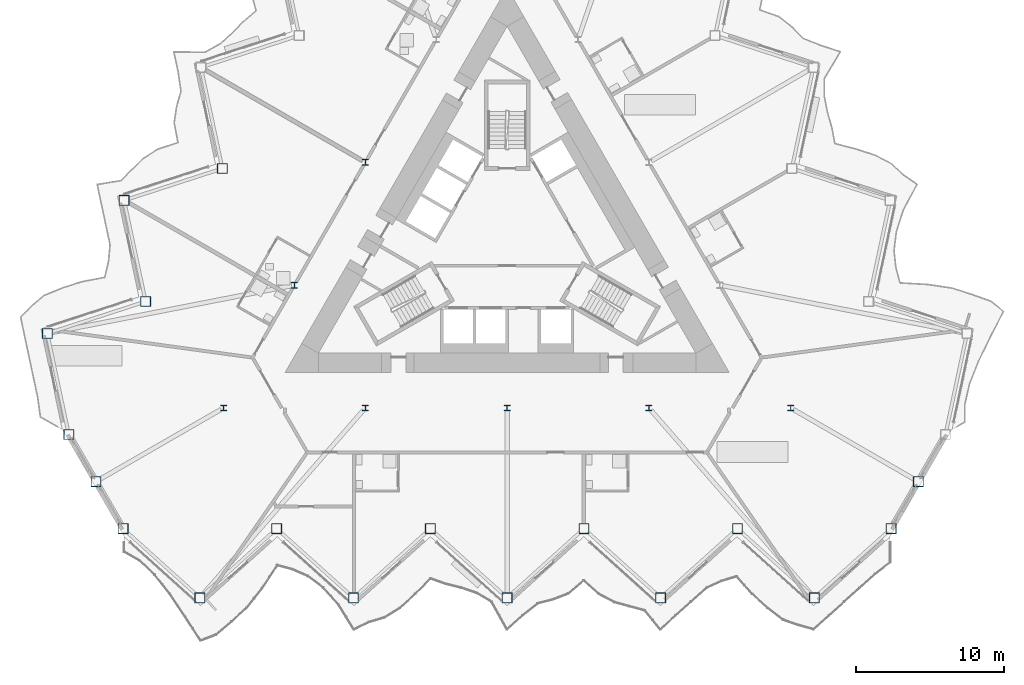
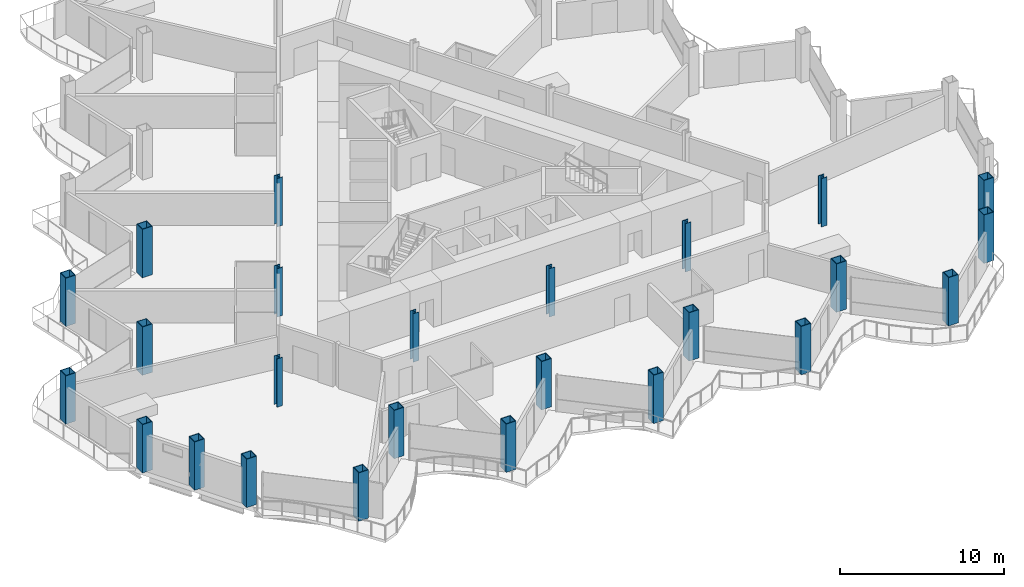
# One storey, part 1 of 23: 25 columns.
"""IFC4 building model written with IfcOpenShell, lengths in metres."""

from ifc_helpers import new_model, si_unit, direction, frame, origin, origin_2d, place, context, subcontext, project, spatial, hollow_rectangle, i_section, extrude, material, material_profile, profile_set, type_object, element, save


model = new_model("IFC4")

# Units and contexts
model_context = context("Model", 3, precision=1e-05, world=origin(), true_north=direction((0.0, 1.0)))
body_context = subcontext(model_context, "Body", "Model", "MODEL_VIEW")
ifc_project = project(units=[si_unit("LENGTHUNIT", "METRE"), si_unit("AREAUNIT", "SQUARE_METRE"), si_unit("VOLUMEUNIT", "CUBIC_METRE"), si_unit("PLANEANGLEUNIT", "RADIAN"), si_unit("MASSUNIT", "GRAM", prefix="KILO")], contexts=[model_context])

# Site, building, storey
site_placement = place(None, origin())
site = spatial("IfcSite", under=ifc_project, at=site_placement, CompositionType="ELEMENT")
building_placement = place(site_placement, origin())
building = spatial("IfcBuilding", under=site, at=building_placement, Name="Cormorant Prow Tower", CompositionType="ELEMENT")
storey_placement = place(building_placement, frame((0.0, 0.0, 249.0)))
storey = spatial("IfcBuildingStorey", under=building, at=storey_placement, Name="L55", CompositionType="ELEMENT", Elevation=249.0)

# Columns
ifc_material_1 = material(Name="Structural steel ASTM A572 Gr 50", Category="steel")
ifc_material_profile_1 = material_profile(ifc_material_1, hollow_rectangle(XDim=0.699951171875, YDim=0.699951171875, WallThickness=0.044921875, at=origin_2d()), Name="Box 700x700x45")
ifc_profile_set_1 = profile_set([ifc_material_profile_1], Name="Structural steel ASTM A572 Gr 50")
column_type_1 = type_object("IfcColumnType", Name="Perimeter box column 700x700x45", PredefinedType="COLUMN", material=ifc_profile_set_1)
for number, where, z_axis, x_axis, name in (
    (1, (-25.941162109375, -19.21533203125, 0.0), (0.0, 0.0, 1.0), (1.0, 0.0, 0.0), "Perimeter column C5 at S00 L55"),
    (2, (-20.7529296875, -23.886962890625, 0.0), (0.0, 0.0, 1.0), (1.0, 0.0, 0.0), "Perimeter column C5 at S01 L55"),
    (3, (-15.564697265625, -19.21533203125, 0.0), (0.0, 0.0, 1.0), (1.0, 0.0, 0.0), "Perimeter column C5 at S02 L55"),
    (4, (-10.37646484375, -23.886962890625, 0.0), (0.0, 0.0, 1.0), (1.0, 0.0, 0.0), "Perimeter column C5 at S03 L55"),
    (5, (-5.188232421875, -19.21533203125, 0.0), (0.0, 0.0, 1.0), (1.0, 0.0, 0.0), "Perimeter column C5 at S04 L55"),
    (6, (0.0, -23.886962890625, 0.0), (0.0, 0.0, 1.0), (1.0, 0.0, 0.0), "Perimeter column C5 at S05 L55"),
    (7, (5.188232421875, -19.21533203125, 0.0), (0.0, 0.0, 1.0), (1.0, 0.0, 0.0), "Perimeter column C5 at S06 L55"),
    (8, (10.37646484375, -23.886962890625, 0.0), (0.0, 0.0, 1.0), (1.0, 0.0, 0.0), "Perimeter column C5 at S07 L55"),
    (9, (15.564697265625, -19.21533203125, 0.0), (0.0, 0.0, 1.0), (1.0, 0.0, 0.0), "Perimeter column C5 at S08 L55"),
    (10, (20.7529296875, -23.886962890625, 0.0), (0.0, 0.0, 1.0), (1.0, 0.0, 0.0), "Perimeter column C5 at S09 L55"),
    (11, (25.941162109375, -19.21533203125, 0.0), (0.0, 0.0, 1.0), (1.0, 0.0, 0.0), "Perimeter column C5 at ESE00 L55"),
    (12, (27.7763671875, -16.03662109375, 0.0), (0.0, 0.0, 1.0), (1.0, 0.0, 0.0), "Perimeter column C5 at ESE01 L55"),
    (13, (-19.235107421875, 5.114501953125, 0.0), (0.0, 0.0, 1.0), (1.0, 0.0, 0.0), "Perimeter column C5 at WNW06 L55"),
    (14, (-25.875, 2.957275390625, 0.0), (0.0, 0.0, 1.0), (1.0, 0.0, 0.0), "Perimeter column C5 at WNW07 L55"),
    (15, (-24.42333984375, -3.871826171875, 0.0), (0.0, 0.0, 1.0), (1.0, 0.0, 0.0), "Perimeter column C5 at WNW08 L55"),
    (16, (-31.063232421875, -6.029052734375, 0.0), (0.0, 0.0, 1.0), (1.0, 0.0, 0.0), "Perimeter column C5 at WNW09 L55"),
    (17, (-29.611572265625, -12.858154296875, 0.0), (0.0, 0.0, 1.0), (1.0, 0.0, 0.0), "Perimeter column C5 at WSW00 L55"),
    (18, (-27.7763671875, -16.03662109375, 0.0), (0.0, 0.0, 1.0), (1.0, 0.0, 0.0), "Perimeter column C5 at WSW01 L55"),
):
    element("IfcColumn", number, at=place(storey_placement, frame(where, z_axis=z_axis, x_axis=x_axis)), inside=storey, type_object=column_type_1, Name=name, PredefinedType="COLUMN", context=body_context, shape_type="SweptSolid", body=[
        extrude(hollow_rectangle(XDim=0.699951171875, YDim=0.699951171875, WallThickness=0.044921875, at=origin_2d()), origin(), (0.0, 0.0, 1.0), 3.60009765625),
    ])
ifc_material_2 = material(Name="Structural steel ASTM A992 Gr 50", Category="steel")
ifc_material_profile_2 = material_profile(ifc_material_2, i_section(OverallWidth=0.39892578125, OverallDepth=0.393310546875, WebThickness=0.022705078125, FlangeThickness=0.03662109375, at=origin_2d()), Name="W14x193")
ifc_profile_set_2 = profile_set([ifc_material_profile_2], Name="Structural steel ASTM A992 Gr 50")
column_type_2 = type_object("IfcColumnType", Name="Ring column W14x193", PredefinedType="COLUMN", material=ifc_profile_set_2)
for number, where, z_axis, x_axis, name in (
    (19, (-9.578369140625, 5.530029296875, 0.0), (0.0, 0.0, 1.0), (1.0, 0.0, 0.0), "Ring column 3 L55"),
    (20, (-14.36767578125, -2.76513671875, 0.0), (0.0, 0.0, 1.0), (1.0, 0.0, 0.0), "Ring column 4 L55"),
    (21, (-19.156982421875, -11.060302734375, 0.0), (0.0, 0.0, 1.0), (1.0, 0.0, 0.0), "Ring column 5 L55"),
    (22, (-9.578369140625, -11.060302734375, 0.0), (0.0, 0.0, 1.0), (1.0, 0.0, 0.0), "Ring column 6 L55"),
    (23, (0.0, -11.060302734375, 0.0), (0.0, 0.0, 1.0), (1.0, 0.0, 0.0), "Ring column 7 L55"),
    (24, (9.578369140625, -11.060302734375, 0.0), (0.0, 0.0, 1.0), (1.0, 0.0, 0.0), "Ring column 8 L55"),
    (25, (19.156982421875, -11.060302734375, 0.0), (0.0, 0.0, 1.0), (1.0, 0.0, 0.0), "Ring column 9 L55"),
):
    element("IfcColumn", number, at=place(storey_placement, frame(where, z_axis=z_axis, x_axis=x_axis)), inside=storey, type_object=column_type_2, Name=name, PredefinedType="COLUMN", context=body_context, shape_type="SweptSolid", body=[
        extrude(i_section(OverallWidth=0.39892578125, OverallDepth=0.393310546875, WebThickness=0.022705078125, FlangeThickness=0.03662109375, at=origin_2d()), origin(), (0.0, 0.0, 1.0), 3.60009765625),
    ])

save(model, "model.ifc")
